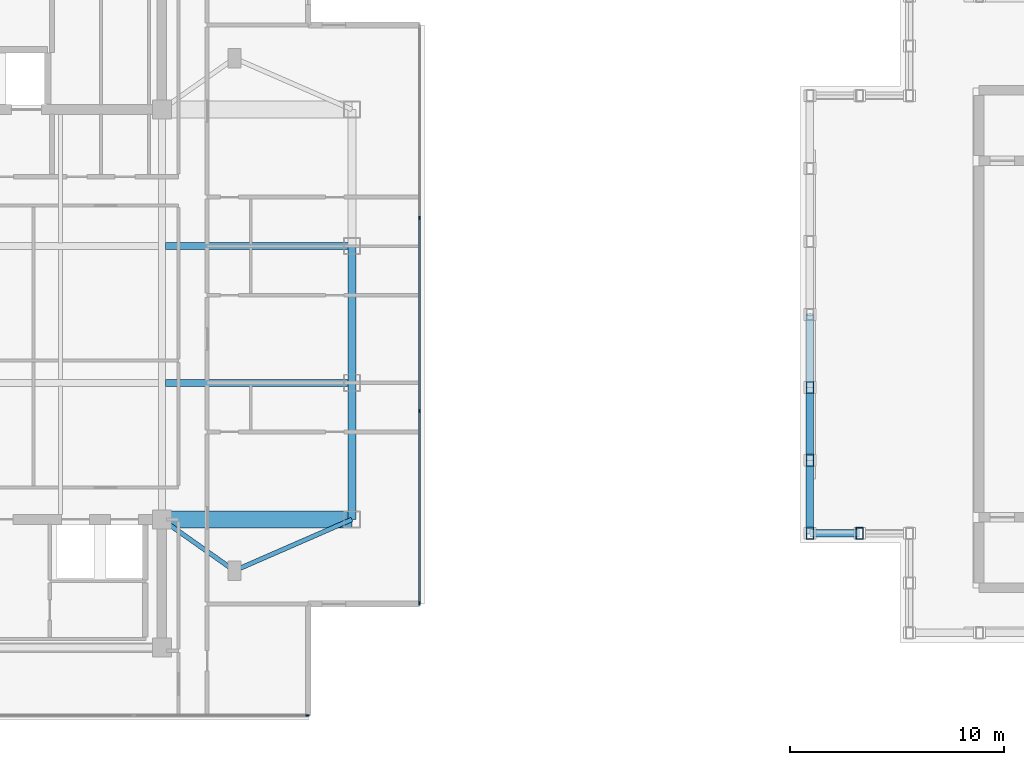
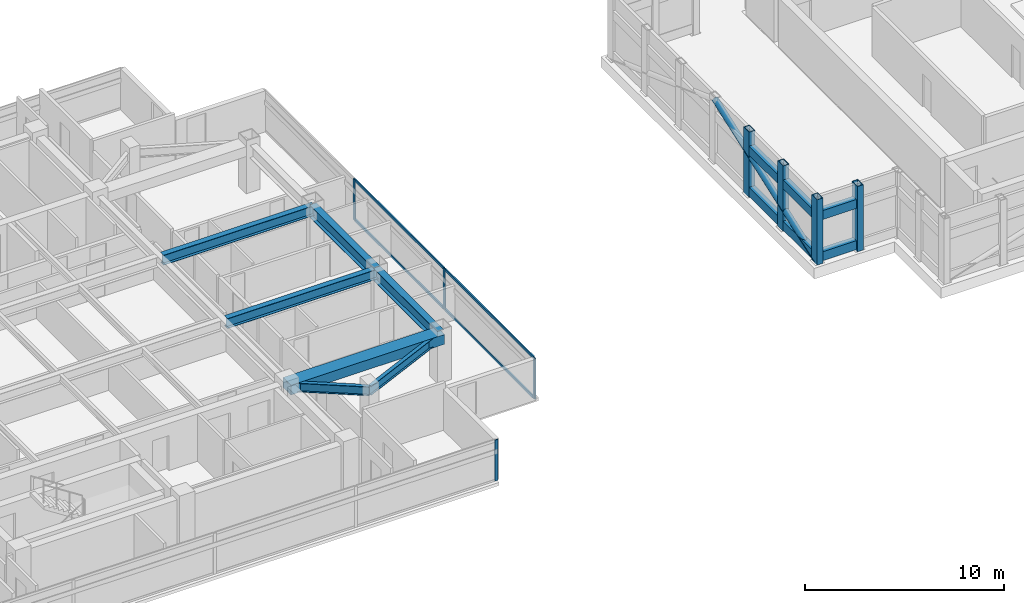
# One storey, part 4 of 17: 19 members, 7 beams, 2 elements without a shape of their own.
"""IFC4 building model written with IfcOpenShell, lengths in metres."""

from ifc_helpers import new_model, si_unit, direction, frame, origin, origin_2d, place, context, subcontext, project, spatial, rectangle, hollow_rectangle, hollow_circle, i_section, extrude, material, material_profile, profile_set, type_object, element, aggregate, save


model = new_model("IFC4")

# Units and contexts
model_context = context("Model", 3, precision=1e-05, world=origin(), true_north=direction((0.0, 1.0)))
body_context = subcontext(model_context, "Body", "Model", "MODEL_VIEW")
ifc_project = project(units=[si_unit("LENGTHUNIT", "METRE"), si_unit("AREAUNIT", "SQUARE_METRE"), si_unit("VOLUMEUNIT", "CUBIC_METRE"), si_unit("PLANEANGLEUNIT", "RADIAN"), si_unit("MASSUNIT", "GRAM", prefix="KILO")], contexts=[model_context])

# Site, building, storey
site_placement = place(None, origin())
site = spatial("IfcSite", under=ifc_project, at=site_placement, CompositionType="ELEMENT")
building_placement = place(site_placement, origin())
building = spatial("IfcBuilding", under=site, at=building_placement, Name="Mirazonda Arch Towers", CompositionType="ELEMENT")
storey_placement = place(building_placement, frame((0.0, 0.0, 209.64990234375)))
storey = spatial("IfcBuildingStorey", under=building, at=storey_placement, Name="L60", CompositionType="ELEMENT", Elevation=209.64990234375)

# Beams
ifc_material_1 = material(Name="Steel ASTM A992 Grade 50", Category="steel")
ifc_material_profile_1 = material_profile(ifc_material_1, i_section(OverallWidth=0.381103515625, OverallDepth=0.77294921875, WebThickness=0.0166015625, FlangeThickness=0.027099609375, at=origin_2d()), Name="W30X173")
ifc_profile_set_1 = profile_set([ifc_material_profile_1], Name="Steel ASTM A992 Grade 50")
beam_type_1 = type_object("IfcBeamType", Name="BM-EXT-W30X173", PredefinedType="USERDEFINED", material=ifc_profile_set_1)
beam_1_placement = place(storey_placement, frame((38.89990234375, 18.39990234375, 2.503662109375), z_axis=(0.0, 1.0, 0.0), x_axis=(-1.0, 0.0, 0.0)))
element("IfcBeam", 1, at=beam_1_placement, inside=storey, type_object=beam_type_1, Name="L60 Floor Beam BMT-T1-L60-NS-E-18", ObjectType="GIRDER", PredefinedType="USERDEFINED", context=body_context, shape_type="SweptSolid", body=[
    extrude(i_section(OverallWidth=0.381103515625, OverallDepth=0.77294921875, WebThickness=0.0166015625, FlangeThickness=0.027099609375, at=origin_2d()), origin(), (0.0, 0.0, 1.0), 6.400146484375),
])
beam_2_placement = place(storey_placement, frame((38.89990234375, 24.800048828125, 2.503662109375), z_axis=(0.0, 1.0, 0.0), x_axis=(-1.0, 0.0, 0.0)))
element("IfcBeam", 2, at=beam_2_placement, inside=storey, type_object=beam_type_1, Name="L60 Floor Beam BMT-T1-L60-NS-E-24", ObjectType="GIRDER", PredefinedType="USERDEFINED", context=body_context, shape_type="SweptSolid", body=[
    extrude(i_section(OverallWidth=0.381103515625, OverallDepth=0.77294921875, WebThickness=0.0166015625, FlangeThickness=0.027099609375, at=origin_2d()), origin(), (0.0, 0.0, 1.0), 6.39990234375),
])
ifc_material_profile_2 = material_profile(ifc_material_1, i_section(OverallWidth=0.214111328125, OverallDepth=0.549072265625, WebThickness=0.0146484375, FlangeThickness=0.023681640625, at=origin_2d()), Name="W21X93")
ifc_profile_set_2 = profile_set([ifc_material_profile_2], Name="Steel ASTM A992 Grade 50")
beam_type_2 = type_object("IfcBeamType", Name="BM-INT-W21X93", PredefinedType="BEAM", material=ifc_profile_set_2)
beam_3_placement = place(storey_placement, frame((33.39990234375, 16.0, 2.615478515625), z_axis=(-0.816971114901, 0.576678591087, 0.0), x_axis=(-0.576678591087, -0.816971114901, 0.0)))
element("IfcBeam", 3, at=beam_3_placement, inside=storey, type_object=beam_type_2, Name="L60 Floor Beam BMT-T1-L60-PL-SE1", PredefinedType="BEAM", context=body_context, shape_type="SweptSolid", body=[
    extrude(i_section(OverallWidth=0.214111328125, OverallDepth=0.549072265625, WebThickness=0.0146484375, FlangeThickness=0.023681640625, at=origin_2d()), origin(), (0.0, 0.0, 1.0), 4.16162109375),
])
beam_4_placement = place(storey_placement, frame((33.39990234375, 16.0, 2.615478515625), z_axis=(0.916545343703, 0.399930785183, 0.0), x_axis=(-0.399930785183, 0.916545343703, 0.0)))
element("IfcBeam", 4, at=beam_4_placement, inside=storey, type_object=beam_type_2, Name="L60 Floor Beam BMT-T1-L60-PL-SE2", PredefinedType="BEAM", context=body_context, shape_type="SweptSolid", body=[
    extrude(i_section(OverallWidth=0.214111328125, OverallDepth=0.549072265625, WebThickness=0.0146484375, FlangeThickness=0.023681640625, at=origin_2d()), origin(), (0.0, 0.0, 1.0), 6.000732421875),
])
ifc_material_profile_3 = material_profile(ifc_material_1, i_section(OverallWidth=0.324951171875, OverallDepth=0.615966796875, WebThickness=0.013916015625, FlangeThickness=0.021484375, at=origin_2d()), Name="W24X117")
ifc_profile_set_3 = profile_set([ifc_material_profile_3], Name="Steel ASTM A992 Grade 50")
beam_type_3 = type_object("IfcBeamType", Name="BM-INT-W24X117", PredefinedType="BEAM", material=ifc_profile_set_3)
for number, where, z_axis, x_axis, name in (
    (5, (30.16259765625, 24.800048828125, 2.58203125), (1.0, 0.0, 0.0), (0.0, 1.0, 0.0), "L60 Floor Beam BMT-T1-L60-GE2"),
    (6, (30.16259765625, 31.199951171875, 2.58203125), (1.0, 0.0, 0.0), (0.0, 1.0, 0.0), "L60 Floor Beam BMT-T1-L60-GE3"),
):
    element("IfcBeam", number, at=place(storey_placement, frame(where, z_axis=z_axis, x_axis=x_axis)), inside=storey, type_object=beam_type_3, Name=name, PredefinedType="BEAM", context=body_context, shape_type="SweptSolid", body=[
        extrude(i_section(OverallWidth=0.324951171875, OverallDepth=0.615966796875, WebThickness=0.013916015625, FlangeThickness=0.021484375, at=origin_2d()), origin(), (0.0, 0.0, 1.0), 8.7373046875),
    ])
ifc_material_2 = material(Name="Concrete C60/75", Category="concrete")
ifc_material_profile_4 = material_profile(ifc_material_2, rectangle(XDim=0.800048828125, YDim=0.60009765625, at=origin_2d()), Name="RCCB800x600")
ifc_profile_set_4 = profile_set([ifc_material_profile_4], Name="Concrete C60/75")
beam_type_4 = type_object("IfcBeamType", Name="CB-INT-RCCB800x600", PredefinedType="SPANDREL", material=ifc_profile_set_4)
beam_5_placement = place(storey_placement, frame((30.0, 18.39990234375, 2.590087890625), z_axis=(1.0, 0.0, 0.0), x_axis=(0.0, 1.0, 0.0)))
element("IfcBeam", 7, at=beam_5_placement, inside=storey, type_object=beam_type_4, Name="L60 Floor Beam CBC-T1-L60-SE", PredefinedType="SPANDREL", context=body_context, shape_type="SweptSolid", body=[
    extrude(rectangle(XDim=0.800048828125, YDim=0.60009765625, at=origin_2d()), origin(), (0.0, 0.0, 1.0), 8.89990234375),
])

# Members
ifc_material_3 = material(Name="Steel ASTM A572 Grade 50", Category="steel")
ifc_material_profile_5 = material_profile(ifc_material_3, hollow_circle(Radius=0.177978515625, WallThickness=0.01611328125, at=origin_2d()), Name="CROWNBRACE356x16CHS")
ifc_profile_set_5 = profile_set([ifc_material_profile_5], Name="Steel ASTM A572 Grade 50")
member_type_1 = type_object("IfcMemberType", Name="MBR-EXT-CROWNBRACE356x16CHS", PredefinedType="BRACE", material=ifc_profile_set_5)
member_1_placement = place(storey_placement, frame((60.3525390625, 17.751220703125, 0.02001953125), z_axis=(0.0, 0.940575967105, 0.339583347803), x_axis=(-1.0, 0.0, 0.0)))
element("IfcMember", 8, at=member_1_placement, inside=storey, type_object=member_type_1, Name="T2 Ring Crown Diagonal Brace 4B", PredefinedType="BRACE", context=body_context, shape_type="SweptSolid", body=[
    extrude(hollow_circle(Radius=0.177978515625, WallThickness=0.01611328125, at=origin_2d()), origin(), (0.0, 0.0, 1.0), 10.896240234375),
])
ifc_material_profile_6 = material_profile(ifc_material_3, hollow_rectangle(XDim=0.35009765625, YDim=0.550048828125, WallThickness=0.030029296875, at=origin_2d()), Name="CROWNFRAME550x350x30")
ifc_profile_set_6 = profile_set([ifc_material_profile_6], Name="Steel ASTM A572 Grade 50")
member_type_2 = type_object("IfcMemberType", Name="MBR-EXT-CROWNFRAME550x350x30", PredefinedType="USERDEFINED", material=ifc_profile_set_6)
for number, where, z_axis, x_axis, name in (
    (9, (60.3525390625, 24.583740234375, 0.0), (0.0, 0.0, 1.0), (1.0, 0.0, 0.0), "T2 Constructivist Ring Crown Post 37"),
    (10, (60.3525390625, 21.16748046875, 0.0), (0.0, 0.0, 1.0), (1.0, 0.0, 0.0), "T2 Constructivist Ring Crown Post 38"),
    (11, (60.3525390625, 17.751220703125, 0.0), (0.0, 0.0, 1.0), (1.0, 0.0, 0.0), "T2 Constructivist Ring Crown Post 39"),
    (12, (62.682373046875, 17.751220703125, 0.0), (0.0, 0.0, 1.0), (1.0, 0.0, 0.0), "T2 Constructivist Ring Crown Post 40"),
):
    element("IfcMember", number, at=place(storey_placement, frame(where, z_axis=z_axis, x_axis=x_axis)), inside=storey, type_object=member_type_2, Name=name, ObjectType="CROWN FRAME", PredefinedType="USERDEFINED", context=body_context, shape_type="SweptSolid", body=[
        extrude(hollow_rectangle(XDim=0.35009765625, YDim=0.550048828125, WallThickness=0.030029296875, at=origin_2d()), origin(), (0.0, 0.0, 1.0), 4.0),
    ])
for number, where, z_axis, x_axis, name in (
    (13, (60.3525390625, 24.583740234375, 0.35009765625), (0.0, -1.0, 0.0), (1.0, 0.0, 0.0), "T2 Ring Crown Cap Beam 1-37"),
    (14, (60.3525390625, 21.16748046875, 0.35009765625), (0.0, -1.0, 0.0), (1.0, 0.0, 0.0), "T2 Ring Crown Cap Beam 1-38"),
):
    element("IfcMember", number, at=place(storey_placement, frame(where, z_axis=z_axis, x_axis=x_axis)), inside=storey, type_object=member_type_2, Name=name, ObjectType="CROWN FRAME", PredefinedType="USERDEFINED", context=body_context, shape_type="SweptSolid", body=[
        extrude(hollow_rectangle(XDim=0.35009765625, YDim=0.550048828125, WallThickness=0.030029296875, at=origin_2d()), origin(), (0.0, 0.0, 1.0), 3.416259765625),
    ])
member_2_placement = place(storey_placement, frame((60.3525390625, 17.751220703125, 0.35009765625), z_axis=(1.0, 0.0, 0.0), x_axis=(0.0, 1.0, 0.0)))
element("IfcMember", 15, at=member_2_placement, inside=storey, type_object=member_type_2, Name="T2 Ring Crown Cap Beam 1-39", ObjectType="CROWN FRAME", PredefinedType="USERDEFINED", context=body_context, shape_type="SweptSolid", body=[
    extrude(hollow_rectangle(XDim=0.35009765625, YDim=0.550048828125, WallThickness=0.030029296875, at=origin_2d()), origin(), (0.0, 0.0, 1.0), 2.329833984375),
])
for number, where, z_axis, x_axis, name in (
    (16, (60.3525390625, 24.583740234375, 2.8701171875), (0.0, -1.0, 0.0), (1.0, 0.0, 0.0), "T2 Ring Crown Cap Beam 2-37"),
    (17, (60.3525390625, 21.16748046875, 2.8701171875), (0.0, -1.0, 0.0), (1.0, 0.0, 0.0), "T2 Ring Crown Cap Beam 2-38"),
):
    element("IfcMember", number, at=place(storey_placement, frame(where, z_axis=z_axis, x_axis=x_axis)), inside=storey, type_object=member_type_2, Name=name, ObjectType="CROWN FRAME", PredefinedType="USERDEFINED", context=body_context, shape_type="SweptSolid", body=[
        extrude(hollow_rectangle(XDim=0.35009765625, YDim=0.550048828125, WallThickness=0.030029296875, at=origin_2d()), origin(), (0.0, 0.0, 1.0), 3.416259765625),
    ])
member_3_placement = place(storey_placement, frame((60.3525390625, 17.751220703125, 2.8701171875), z_axis=(1.0, 0.0, 0.0), x_axis=(0.0, 1.0, 0.0)))
element("IfcMember", 18, at=member_3_placement, inside=storey, type_object=member_type_2, Name="T2 Ring Crown Cap Beam 2-39", ObjectType="CROWN FRAME", PredefinedType="USERDEFINED", context=body_context, shape_type="SweptSolid", body=[
    extrude(hollow_rectangle(XDim=0.35009765625, YDim=0.550048828125, WallThickness=0.030029296875, at=origin_2d()), origin(), (0.0, 0.0, 1.0), 2.329833984375),
])

# Curtain wall, member
ifc_material_4 = material(Name="Anodised Aluminium and Low-E Glass", Category="aluminium")
curtain_wall_type = type_object("IfcCurtainWallType", Name="CW-RES-UNIT", PredefinedType="NOTDEFINED", material=ifc_material_4)
curtain_wall_1_placement = place(storey_placement, origin())
curtain_wall_1 = element("IfcCurtainWall", 19, at=curtain_wall_1_placement, inside=storey, type_object=curtain_wall_type, Name="L60 T1 S Facade CW-L60-T1-S", PredefinedType="NOTDEFINED")
ifc_material_5 = material(Name="Anodised Aluminium Alloy", Category="aluminium")
ifc_material_profile_7 = material_profile(ifc_material_5, rectangle(XDim=0.074951171875, YDim=0.175048828125, at=origin_2d()), Name="ALU-MULL-75x175")
ifc_profile_set_7 = profile_set([ifc_material_profile_7], Name="Anodised Aluminium Alloy")
member_type_3 = type_object("IfcMemberType", Name="MULL-CW-RES-UNIT", PredefinedType="MULLION", material=ifc_profile_set_7)
member_4_placement = place(storey_placement, frame((36.8173828125, 9.22607421875, 0.0), z_axis=(0.0, 0.0, 1.0), x_axis=(0.0, -1.0, 0.0)))
member_4 = element("IfcMember", 20, at=member_4_placement, type_object=member_type_3, Name="CW-104 mullion 1", PredefinedType="MULLION", context=body_context, shape_type="SweptSolid", body=[
    extrude(rectangle(XDim=0.074951171875, YDim=0.175048828125, at=origin_2d()), origin(), (0.0, 0.0, 1.0), 2.510009765625),
])
aggregate(curtain_wall_1, [member_4])

# Curtain wall, members
curtain_wall_2_placement = place(storey_placement, origin())
curtain_wall_2 = element("IfcCurtainWall", 21, at=curtain_wall_2_placement, inside=storey, type_object=curtain_wall_type, Name="L60 T1 E Facade CW-L60-T1-E", PredefinedType="NOTDEFINED")
member_5_placement = place(storey_placement, frame((42.070068359375, 14.478515625, 0.0), z_axis=(0.0, 0.0, 1.0), x_axis=(-1.0, 0.0, 0.0)))
member_5 = element("IfcMember", 22, at=member_5_placement, type_object=member_type_3, Name="CW-104 mullion 1", PredefinedType="MULLION", context=body_context, shape_type="SweptSolid", body=[
    extrude(rectangle(XDim=0.074951171875, YDim=0.175048828125, at=origin_2d()), origin(), (0.0, 0.0, 1.0), 2.510009765625),
])
member_6_placement = place(storey_placement, frame((42.070068359375, 23.480224609375, 0.0), z_axis=(0.0, 0.0, 1.0), x_axis=(-1.0, 0.0, 0.0)))
member_6 = element("IfcMember", 23, at=member_6_placement, type_object=member_type_3, Name="CW-104 mullion 2", PredefinedType="MULLION", context=body_context, shape_type="SweptSolid", body=[
    extrude(rectangle(XDim=0.074951171875, YDim=0.175048828125, at=origin_2d()), origin(), (0.0, 0.0, 1.0), 2.510009765625),
])
member_7_placement = place(storey_placement, frame((42.070068359375, 32.519775390625, 0.0), z_axis=(0.0, 0.0, 1.0), x_axis=(-1.0, 0.0, 0.0)))
member_7 = element("IfcMember", 24, at=member_7_placement, type_object=member_type_3, Name="CW-104 mullion 3", PredefinedType="MULLION", context=body_context, shape_type="SweptSolid", body=[
    extrude(rectangle(XDim=0.074951171875, YDim=0.175048828125, at=origin_2d()), origin(), (0.0, 0.0, 1.0), 2.510009765625),
])
ifc_material_profile_8 = material_profile(ifc_material_5, rectangle(XDim=0.074951171875, YDim=0.155029296875, at=origin_2d()), Name="ALU-TRAN-75x155")
ifc_profile_set_8 = profile_set([ifc_material_profile_8], Name="Anodised Aluminium Alloy")
member_type_4 = type_object("IfcMemberType", Name="TRAN-CW-RES-UNIT", PredefinedType="USERDEFINED", material=ifc_profile_set_8)
member_8_placement = place(storey_placement, frame((42.070068359375, 14.51611328125, 0.03759765625), z_axis=(0.0, 1.0, 0.0), x_axis=(-1.0, 0.0, 0.0)))
member_8 = element("IfcMember", 25, at=member_8_placement, type_object=member_type_4, Name="CW-104 transom 1.1", ObjectType="TRANSOM", PredefinedType="USERDEFINED", context=body_context, shape_type="SweptSolid", body=[
    extrude(rectangle(XDim=0.074951171875, YDim=0.155029296875, at=origin_2d()), origin(), (0.0, 0.0, 1.0), 8.9267578125),
])
member_9_placement = place(storey_placement, frame((42.070068359375, 14.51611328125, 2.47265625), z_axis=(0.0, 1.0, 0.0), x_axis=(-1.0, 0.0, 0.0)))
member_9 = element("IfcMember", 26, at=member_9_placement, type_object=member_type_4, Name="CW-104 transom 1.2", ObjectType="TRANSOM", PredefinedType="USERDEFINED", context=body_context, shape_type="SweptSolid", body=[
    extrude(rectangle(XDim=0.074951171875, YDim=0.155029296875, at=origin_2d()), origin(), (0.0, 0.0, 1.0), 8.9267578125),
])
member_10_placement = place(storey_placement, frame((42.070068359375, 23.517822265625, 0.03759765625), z_axis=(0.0, 1.0, 0.0), x_axis=(-1.0, 0.0, 0.0)))
member_10 = element("IfcMember", 27, at=member_10_placement, type_object=member_type_4, Name="CW-104 transom 2.1", ObjectType="TRANSOM", PredefinedType="USERDEFINED", context=body_context, shape_type="SweptSolid", body=[
    extrude(rectangle(XDim=0.074951171875, YDim=0.155029296875, at=origin_2d()), origin(), (0.0, 0.0, 1.0), 8.96435546875),
])
member_11_placement = place(storey_placement, frame((42.070068359375, 23.517822265625, 2.47265625), z_axis=(0.0, 1.0, 0.0), x_axis=(-1.0, 0.0, 0.0)))
member_11 = element("IfcMember", 28, at=member_11_placement, type_object=member_type_4, Name="CW-104 transom 2.2", ObjectType="TRANSOM", PredefinedType="USERDEFINED", context=body_context, shape_type="SweptSolid", body=[
    extrude(rectangle(XDim=0.074951171875, YDim=0.155029296875, at=origin_2d()), origin(), (0.0, 0.0, 1.0), 8.96435546875),
])
aggregate(curtain_wall_2, [member_5, member_6, member_7, member_8, member_9, member_10, member_11])

save(model, "model.ifc")
